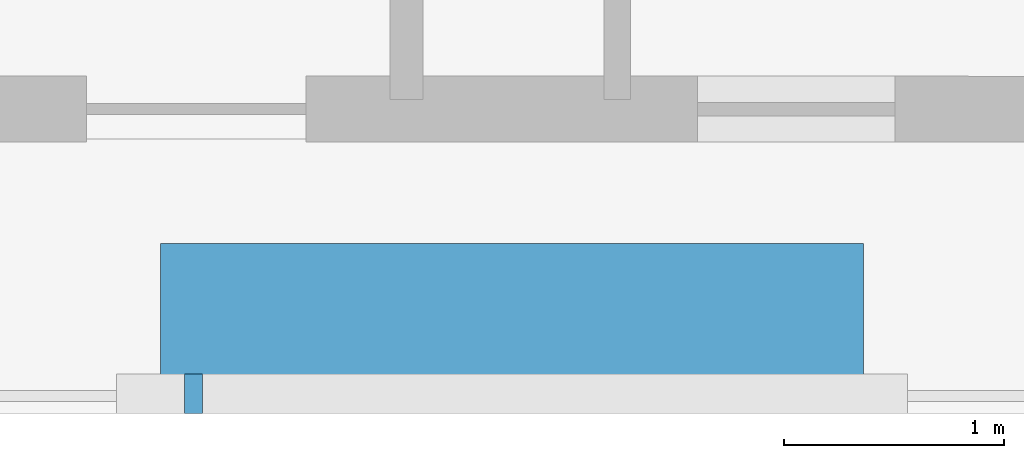
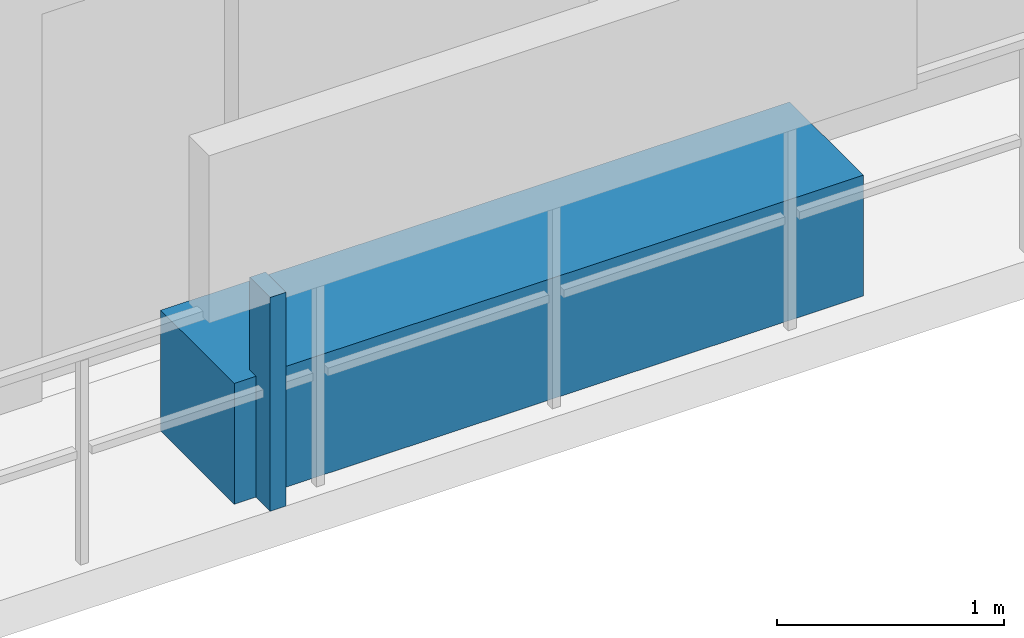
# One storey, part 29 of 33: 2 discrete accessories.
"""IFC4 building model written with IfcOpenShell, lengths in metres."""

from ifc_helpers import new_model, si_unit, direction, frame, origin, origin_2d, place, context, subcontext, project, spatial, rectangle, extrude, material, type_object, element, save


model = new_model("IFC4")

# Units and contexts
model_context = context("Model", 3, precision=1e-05, world=origin(), true_north=direction((0.0, 1.0)))
body_context = subcontext(model_context, "Body", "Model", "MODEL_VIEW")
ifc_project = project(units=[si_unit("LENGTHUNIT", "METRE"), si_unit("AREAUNIT", "SQUARE_METRE"), si_unit("VOLUMEUNIT", "CUBIC_METRE"), si_unit("PLANEANGLEUNIT", "RADIAN"), si_unit("MASSUNIT", "GRAM", prefix="KILO")], contexts=[model_context])

# Site, building, storey
site_placement = place(None, origin())
site = spatial("IfcSite", under=ifc_project, at=site_placement, CompositionType="ELEMENT")
building_placement = place(site_placement, origin())
building = spatial("IfcBuilding", under=site, at=building_placement, Name="Thornwick Lancets Civic Towers", CompositionType="ELEMENT")
storey_placement = place(building_placement, frame((0.0, 0.0, 112.5)))
storey = spatial("IfcBuildingStorey", under=building, at=storey_placement, Name="L29", CompositionType="ELEMENT", Elevation=112.5)

# Discrete accessories
ifc_material_1 = material(Name="Planted terracotta greenery planter", Category="masonry")
discrete_accessory_type_1 = type_object("IfcDiscreteAccessoryType", Name="ACC_PLANTER_BOX", PredefinedType="USERDEFINED", material=ifc_material_1)
discrete_accessory_1_placement = place(storey_placement, frame((88.5, 2.10009765625, 0.0), z_axis=(0.0, 0.0, 1.0), x_axis=(1.0, 0.0, 0.0)))
element("IfcDiscreteAccessory", 1, at=discrete_accessory_1_placement, inside=storey, type_object=discrete_accessory_type_1, Name="L29 Tower B Balcony Greenery Planter S", ObjectType="PLANTER", PredefinedType="USERDEFINED", context=body_context, shape_type="SweptSolid", body=[
    extrude(rectangle(XDim=3.199951171875, YDim=0.64990234375, at=origin_2d()), origin(), (0.0, 0.0, 1.0), 0.64990234375),
])
ifc_material_2 = material(Name="Stainless steel S355", Category="steel")
discrete_accessory_type_2 = type_object("IfcDiscreteAccessoryType", Name="ACC_SCREEN_BRACKET", PredefinedType="BRACKET", material=ifc_material_2)
discrete_accessory_2_placement = place(storey_placement, frame((87.050048828125, 1.739990234375, 0.0), z_axis=(0.0, 0.0, 1.0), x_axis=(1.0, 0.0, 0.0)))
element("IfcDiscreteAccessory", 2, at=discrete_accessory_2_placement, inside=storey, type_object=discrete_accessory_type_2, Name="L29 Tower B Balcony Screen Stanchion Bracket S-1", PredefinedType="BRACKET", context=body_context, shape_type="SweptSolid", body=[
    extrude(rectangle(XDim=0.080078125, YDim=0.179931640625, at=origin_2d()), origin(), (0.0, 0.0, 1.0), 1.14990234375),
])

save(model, "model.ifc")
